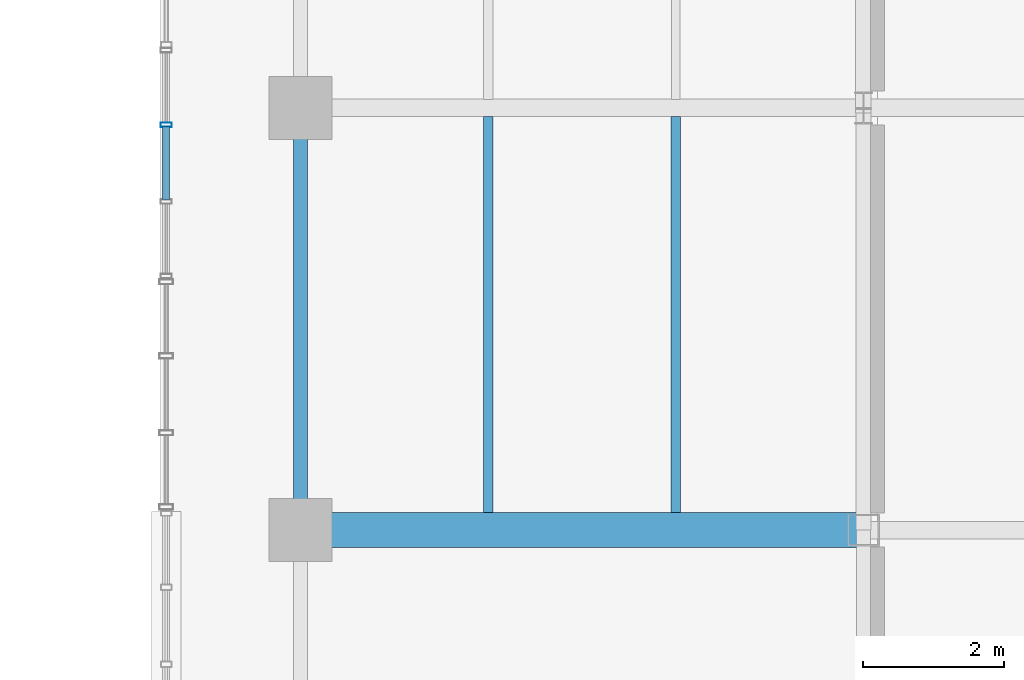
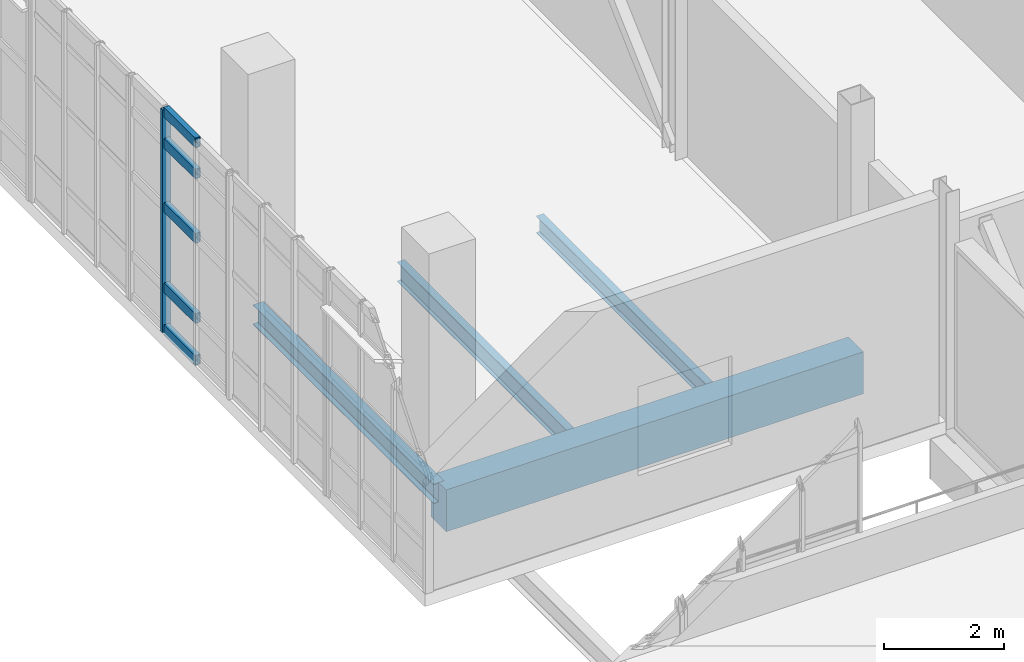
# One storey, part 30 of 102: 6 members, 4 beams, 1 element without a shape of its own.
"""IFC4 building model written with IfcOpenShell, lengths in metres."""

from ifc_helpers import new_model, si_unit, derived_unit, direction, frame, origin, origin_2d, place, context, subcontext, project, spatial, rectangle, hollow_rectangle, i_section, extrude, material, layer, layer_set, material_profile, profile_set, type_object, element, aggregate, save


model = new_model("IFC4")

# Units and contexts
model_context = context("Model", 3, precision=1e-05, world=origin(), true_north=direction((0.0, 1.0)))
body_context = subcontext(model_context, "Body", "Model", "MODEL_VIEW")
ifc_project = project(units=[si_unit("LENGTHUNIT", "METRE"), si_unit("AREAUNIT", "SQUARE_METRE"), si_unit("VOLUMEUNIT", "CUBIC_METRE"), si_unit("PLANEANGLEUNIT", "RADIAN"), si_unit("MASSUNIT", "GRAM", prefix="KILO"), derived_unit("THERMALTRANSMITTANCEUNIT", [(si_unit("POWERUNIT", "WATT"), 1), (si_unit("LENGTHUNIT", "METRE"), -2), (si_unit("THERMODYNAMICTEMPERATUREUNIT", "KELVIN"), -1)])], contexts=[model_context])

# Site, building, storey
site_placement = place(None, origin())
site = spatial("IfcSite", under=ifc_project, at=site_placement, CompositionType="ELEMENT")
building_placement = place(site_placement, origin())
building = spatial("IfcBuilding", under=site, at=building_placement, Name="Nallur Shell Playhouse", CompositionType="ELEMENT")
storey_placement = place(building_placement, frame((0.0, 0.0, 15.0)))
storey = spatial("IfcBuildingStorey", under=building, at=storey_placement, Name="L04", CompositionType="ELEMENT", Elevation=15.0)

# Beams
ifc_material_1 = material(Name="Steel E250", Category="steel")
ifc_material_profile_1 = material_profile(ifc_material_1, i_section(OverallWidth=0.139892578125, OverallDepth=0.35009765625, WebThickness=0.008056640625, FlangeThickness=0.01416015625, FilletRadius=0.013916015625, at=origin_2d()), Name="ISMB 350")
ifc_profile_set_1 = profile_set([ifc_material_profile_1], Name="Steel E250")
beam_type_1 = type_object("IfcBeamType", Name="BM-JST-ISMB350", PredefinedType="JOIST", material=ifc_profile_set_1)
beam_1_placement = place(storey_placement, frame((61.333251953125, 50.248046875, -0.43505859375), z_axis=(0.0, 1.0, 0.0), x_axis=(-1.0, 0.0, 0.0)))
element("IfcBeam", 1, at=beam_1_placement, inside=storey, type_object=beam_type_1, Name="L04 secondary joist 7-F-908", PredefinedType="JOIST", context=body_context, shape_type="SweptSolid", body=[
    extrude(i_section(OverallWidth=0.139892578125, OverallDepth=0.35009765625, WebThickness=0.008056640625, FlangeThickness=0.01416015625, FilletRadius=0.013916015625, at=origin_2d()), origin(), (0.0, 0.0, 1.0), 5.62890625),
])
ifc_material_profile_2 = material_profile(ifc_material_1, i_section(OverallWidth=0.139892578125, OverallDepth=0.39990234375, WebThickness=0.0087890625, FlangeThickness=0.01611328125, FilletRadius=0.013916015625, at=origin_2d()), Name="ISMB 400")
ifc_profile_set_2 = profile_set([ifc_material_profile_2], Name="Steel E250")
beam_type_2 = type_object("IfcBeamType", Name="BM-JST-ISMB400", PredefinedType="JOIST", material=ifc_profile_set_2)
beam_2_placement = place(storey_placement, frame((58.666748046875, 50.248046875, -0.4599609375), z_axis=(0.0, 1.0, 0.0), x_axis=(-1.0, 0.0, 0.0)))
element("IfcBeam", 2, at=beam_2_placement, inside=storey, type_object=beam_type_2, Name="L04 secondary joist 7-F-907", PredefinedType="JOIST", context=body_context, shape_type="SweptSolid", body=[
    extrude(i_section(OverallWidth=0.139892578125, OverallDepth=0.39990234375, WebThickness=0.0087890625, FlangeThickness=0.01611328125, FilletRadius=0.013916015625, at=origin_2d()), origin(), (0.0, 0.0, 1.0), 5.62890625),
])
ifc_material_2 = material(Name="Concrete M40", Category="concrete")
ifc_material_profile_3 = material_profile(ifc_material_2, rectangle(XDim=0.5, YDim=0.85009765625, at=origin_2d()), Name="RC 500x850")
ifc_profile_set_3 = profile_set([ifc_material_profile_3], Name="Concrete M40")
beam_type_3 = type_object("IfcBeamType", Name="BM-RC-500x850", PredefinedType="BEAM", material=ifc_profile_set_3)
beam_3_placement = place(storey_placement, frame((56.0, 50.0, -0.68505859375), z_axis=(1.0, 0.0, 0.0), x_axis=(0.0, 1.0, 0.0)))
element("IfcBeam", 3, at=beam_3_placement, inside=storey, type_object=beam_type_3, Name="L04 girder X-F-781", PredefinedType="BEAM", context=body_context, shape_type="SweptSolid", body=[
    extrude(rectangle(XDim=0.5, YDim=0.85009765625, at=origin_2d()), origin(), (0.0, 0.0, 1.0), 8.0),
])
ifc_material_3 = material(Name="Steel E350", Category="steel")
ifc_material_profile_4 = material_profile(ifc_material_3, i_section(OverallWidth=0.199951171875, OverallDepth=0.39990234375, WebThickness=0.008544921875, FlangeThickness=0.012939453125, FilletRadius=0.012939453125, at=origin_2d()), Name="ISWB 400")
ifc_profile_set_4 = profile_set([ifc_material_profile_4], Name="Steel E350")
beam_type_4 = type_object("IfcBeamType", Name="BM-ST-ISWB400", PredefinedType="BEAM", material=ifc_profile_set_4)
beam_4_placement = place(storey_placement, frame((56.0, 50.0, -0.4599609375), z_axis=(0.0, 1.0, 0.0), x_axis=(-1.0, 0.0, 0.0)))
element("IfcBeam", 4, at=beam_4_placement, inside=storey, type_object=beam_type_4, Name="L04 girder Y-7-837", PredefinedType="BEAM", context=body_context, shape_type="SweptSolid", body=[
    extrude(i_section(OverallWidth=0.199951171875, OverallDepth=0.39990234375, WebThickness=0.008544921875, FlangeThickness=0.012939453125, FilletRadius=0.012939453125, at=origin_2d()), origin(), (0.0, 0.0, 1.0), 6.0),
])

# Curtain wall, members
ifc_material_4 = material(Name="Anodised Aluminium Double-Glazed Facade System", Category="aluminium")
ifc_layer = layer(ifc_material_4, 0.16796875)
ifc_layer_set = layer_set([ifc_layer], Name="Anodised Aluminium Double-Glazed Facade System")
curtain_wall_type = type_object("IfcCurtainWallType", Name="CW-UNIT-26", PredefinedType="NOTDEFINED", material=ifc_layer_set)
curtain_wall_placement = place(storey_placement, origin())
curtain_wall = element("IfcCurtainWall", 5, at=curtain_wall_placement, inside=storey, type_object=curtain_wall_type, Name="Unitised curtain wall CW-154 (L04)", PredefinedType="NOTDEFINED")
ifc_material_5 = material(Name="Aluminium Alloy 6063-T6 Mullion", Category="aluminium")
ifc_material_profile_5 = material_profile(ifc_material_5, hollow_rectangle(XDim=0.06494140625, YDim=0.159912109375, WallThickness=0.00390625, at=origin_2d()), Name="ALU 65x160x4")
ifc_profile_set_5 = profile_set([ifc_material_profile_5], Name="Aluminium Alloy 6063-T6 Mullion")
member_type_1 = type_object("IfcMemberType", Name="MB-CW-MUL160", PredefinedType="MULLION", material=ifc_profile_set_5)
member_1_placement = place(storey_placement, frame((54.090087890625, 55.76025390625, -0.014892578125), z_axis=(0.0, 0.0, 1.0), x_axis=(0.0, 1.0, 0.0)))
member_1 = element("IfcMember", 6, at=member_1_placement, type_object=member_type_1, Name="CW-26 mullion 3", PredefinedType="MULLION", context=body_context, shape_type="SweptSolid", body=[
    extrude(hollow_rectangle(XDim=0.06494140625, YDim=0.159912109375, WallThickness=0.00390625, at=origin_2d()), origin(), (0.0, 0.0, 1.0), 4.52880859375),
])
ifc_material_6 = material(Name="Aluminium Alloy 6063-T6 Transom", Category="aluminium")
ifc_material_profile_6 = material_profile(ifc_material_6, hollow_rectangle(XDim=0.10009765625, YDim=0.199951171875, WallThickness=0.008056640625, at=origin_2d()), Name="RHS 200x100x8")
ifc_profile_set_6 = profile_set([ifc_material_profile_6], Name="Aluminium Alloy 6063-T6 Transom")
member_type_2 = type_object("IfcMemberType", Name="MB-CW-TRN140", PredefinedType="USERDEFINED", material=ifc_profile_set_6)
member_2_placement = place(storey_placement, frame((54.090087890625, 54.69287109375, 0.050048828125), z_axis=(0.0, 1.0, 0.0), x_axis=(-1.0, 0.0, 0.0)))
member_2 = element("IfcMember", 7, at=member_2_placement, type_object=member_type_2, Name="CW-26 transom 2.1", ObjectType="TRANSOM", PredefinedType="USERDEFINED", context=body_context, shape_type="SweptSolid", body=[
    extrude(hollow_rectangle(XDim=0.10009765625, YDim=0.199951171875, WallThickness=0.008056640625, at=origin_2d()), origin(), (0.0, 0.0, 1.0), 1.042724609375),
])
member_3_placement = place(storey_placement, frame((54.090087890625, 54.69287109375, 0.89990234375), z_axis=(0.0, 1.0, 0.0), x_axis=(-1.0, 0.0, 0.0)))
member_3 = element("IfcMember", 8, at=member_3_placement, type_object=member_type_2, Name="CW-26 transom 2.2", ObjectType="TRANSOM", PredefinedType="USERDEFINED", context=body_context, shape_type="SweptSolid", body=[
    extrude(hollow_rectangle(XDim=0.10009765625, YDim=0.199951171875, WallThickness=0.008056640625, at=origin_2d()), origin(), (0.0, 0.0, 1.0), 1.042724609375),
])
member_4_placement = place(storey_placement, frame((54.090087890625, 54.69287109375, 2.52587890625), z_axis=(0.0, 1.0, 0.0), x_axis=(-1.0, 0.0, 0.0)))
member_4 = element("IfcMember", 9, at=member_4_placement, type_object=member_type_2, Name="CW-26 transom 2.3", ObjectType="TRANSOM", PredefinedType="USERDEFINED", context=body_context, shape_type="SweptSolid", body=[
    extrude(hollow_rectangle(XDim=0.10009765625, YDim=0.199951171875, WallThickness=0.008056640625, at=origin_2d()), origin(), (0.0, 0.0, 1.0), 1.042724609375),
])
member_5_placement = place(storey_placement, frame((54.090087890625, 54.69287109375, 3.830078125), z_axis=(0.0, 1.0, 0.0), x_axis=(-1.0, 0.0, 0.0)))
member_5 = element("IfcMember", 10, at=member_5_placement, type_object=member_type_2, Name="CW-26 transom 2.4", ObjectType="TRANSOM", PredefinedType="USERDEFINED", context=body_context, shape_type="SweptSolid", body=[
    extrude(hollow_rectangle(XDim=0.10009765625, YDim=0.199951171875, WallThickness=0.008056640625, at=origin_2d()), origin(), (0.0, 0.0, 1.0), 1.042724609375),
])
member_6_placement = place(storey_placement, frame((54.090087890625, 54.69287109375, 4.4599609375), z_axis=(0.0, 1.0, 0.0), x_axis=(-1.0, 0.0, 0.0)))
member_6 = element("IfcMember", 11, at=member_6_placement, type_object=member_type_2, Name="CW-26 transom 2.5", ObjectType="TRANSOM", PredefinedType="USERDEFINED", context=body_context, shape_type="SweptSolid", body=[
    extrude(hollow_rectangle(XDim=0.10009765625, YDim=0.199951171875, WallThickness=0.008056640625, at=origin_2d()), origin(), (0.0, 0.0, 1.0), 1.042724609375),
])
aggregate(curtain_wall, [member_1, member_2, member_3, member_4, member_5, member_6])

save(model, "model.ifc")
